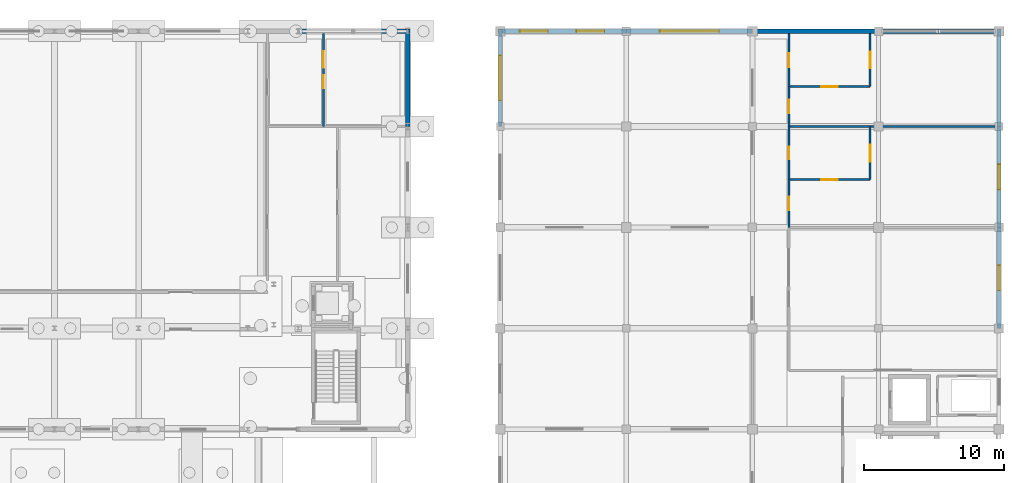
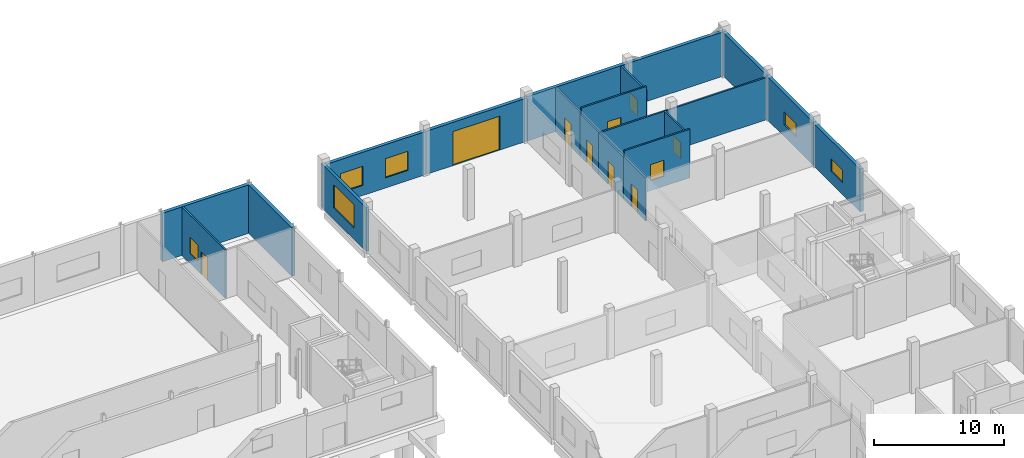
# One storey, part 78 of 91: 20 walls, 10 windows, 6 doors, 16 openings.
"""IFC4 building model written with IfcOpenShell, lengths in metres."""

import ifcopenshell
import ifcopenshell.guid

model = None  # the IFC model being written
_history = None  # IfcOwnerHistory: only IFC2X3 demands one
_inside = {}  # id of a spatial element -> (the spatial element, [elements in it])
_under = {}  # id of a project, library or spatial element -> (it, [spatial elements below it])
_declared = {}  # id of a project -> (the project, [libraries it declares])
_typed = {}  # id of a type object -> (the type object, [elements of that type])
_made_of = {}  # id of a material, layer set ... -> (it, [elements and type objects made of it])


def new_model(schema):
    """Start an empty IFC model of exactly this schema.

    Asked for "IFC4X3", IfcOpenShell would pick the latest addendum, in which some entities
    have other attributes; the version numbers below select the first issue.
    IFC2X3 requires an IfcOwnerHistory on every rooted entity: one is made here for all.
    """
    global model, _history
    if schema == "IFC4X3":
        model = ifcopenshell.file(schema_version=(4, 3, 0, 0))
    else:
        model = ifcopenshell.file(schema=schema)
    _inside.clear()
    _under.clear()
    _declared.clear()
    _typed.clear()
    _made_of.clear()
    _history = None
    if model.schema == "IFC2X3":
        org = make("IfcOrganization", Name="unknown")
        user = make(
            "IfcPersonAndOrganization",
            ThePerson=make("IfcPerson", FamilyName="unknown"),
            TheOrganization=org,
        )
        app = make(
            "IfcApplication",
            ApplicationDeveloper=org,
            Version="unknown",
            ApplicationFullName="unknown",
            ApplicationIdentifier="unknown",
        )
        _history = make(
            "IfcOwnerHistory",
            OwningUser=user,
            OwningApplication=app,
            ChangeAction="ADDED",
            CreationDate=0,
        )
    return model


def make(cls, **values):
    """One entity of the class cls with the attributes given. An attribute that is None is left unset."""
    return model.create_entity(
        cls, **{name: value for name, value in values.items() if value is not None}
    )


def rooted(cls, **values):
    """An entity with a GlobalId (a new one), such as an element, a storey or a relation."""
    return make(cls, GlobalId=ifcopenshell.guid.new(), OwnerHistory=_history, **values)


def si_unit(unit_type, name, prefix=None):
    """IfcSIUnit, for example si_unit("LENGTHUNIT", "METRE", prefix="MILLI")."""
    return make("IfcSIUnit", UnitType=unit_type, Prefix=prefix, Name=name)


def assignment(units):
    """IfcUnitAssignment: the units of a project."""
    return None if units is None else make("IfcUnitAssignment", Units=units)


def point(xyz):
    """IfcCartesianPoint."""
    return None if xyz is None else make("IfcCartesianPoint", Coordinates=xyz)


def direction(xyz):
    """IfcDirection."""
    return None if xyz is None else make("IfcDirection", DirectionRatios=xyz)


def frame(location, z_axis=None, x_axis=None):
    """IfcAxis2Placement3D, a coordinate frame: its origin and axes. An axis left out is left unset."""
    return make(
        "IfcAxis2Placement3D",
        Location=point(location),
        Axis=direction(z_axis),
        RefDirection=direction(x_axis),
    )


def frame_2d(location, x_axis=None):
    """IfcAxis2Placement2D, a coordinate frame in the plane: its origin and x axis."""
    return make(
        "IfcAxis2Placement2D", Location=point(location), RefDirection=direction(x_axis)
    )


def origin():
    """The frame at (0, 0, 0) with its axes left unset."""
    return frame((0.0, 0.0, 0.0))


def place(relative_to, where):
    """IfcLocalPlacement: puts the frame where relative to a parent placement (None: the world)."""
    return make(
        "IfcLocalPlacement", PlacementRelTo=relative_to, RelativePlacement=where
    )


def context(
    kind, dimensions, precision=None, world=None, true_north=None, identifier=None
):
    """IfcGeometricRepresentationContext, for example the 3D "Model" context."""
    return make(
        "IfcGeometricRepresentationContext",
        ContextIdentifier=identifier,
        ContextType=kind,
        CoordinateSpaceDimension=dimensions,
        Precision=precision,
        WorldCoordinateSystem=world,
        TrueNorth=true_north,
    )


def subcontext(parent, identifier, kind, view, scale=None):
    """IfcGeometricRepresentationSubContext, for example "Body" below "Model"."""
    return make(
        "IfcGeometricRepresentationSubContext",
        ContextIdentifier=identifier,
        ContextType=kind,
        ParentContext=parent,
        TargetScale=scale,
        TargetView=view,
    )


def project(units=None, contexts=None):
    """IfcProject with its units and contexts."""
    return rooted(
        "IfcProject",
        Name="project",
        RepresentationContexts=contexts,
        UnitsInContext=assignment(units),
    )


def spatial(cls, under=None, at=None, **own):
    """A site, building, storey or space (cls), placed at a placement, below another one or the project."""
    s = rooted(cls, ObjectPlacement=at, **own)
    if under is not None:
        _under.setdefault(under.id(), (under, []))[1].append(s)
    return s


def profile(cls, at=None, kind="AREA", **sizes):
    """A parametric profile (cls). Its sizes go by their IFC names, for example OverallWidth=200.0."""
    return make(cls, ProfileType=kind, Position=at, **sizes)


def rectangle(**sizes):
    """IfcRectangleProfileDef."""
    return profile("IfcRectangleProfileDef", **sizes)


def extrude(swept, where, along, depth):
    """IfcExtrudedAreaSolid: the profile swept, set in the frame where, extruded along a direction by depth."""
    return make(
        "IfcExtrudedAreaSolid",
        SweptArea=swept,
        Position=where,
        ExtrudedDirection=direction(along),
        Depth=depth,
    )


def shape(context_of_items, identifier, shape_type, items):
    """IfcShapeRepresentation: the items that make up one representation, for example the "Body"."""
    return make(
        "IfcShapeRepresentation",
        ContextOfItems=context_of_items,
        RepresentationIdentifier=identifier,
        RepresentationType=shape_type,
        Items=items,
    )


def material(Name=None, Category=None):
    """IfcMaterial."""
    return make("IfcMaterial", Name=Name, Category=Category)


def layer(
    of_material, thickness, ventilated=None, Name=None, Category=None, Priority=None
):
    """IfcMaterialLayer: one layer of a wall or slab, of a material (None: an air gap)."""
    return make(
        "IfcMaterialLayer",
        Material=of_material,
        LayerThickness=thickness,
        IsVentilated=ventilated,
        Name=Name,
        Category=Category,
        Priority=Priority,
    )


def layer_set(layers, Name=None):
    """IfcMaterialLayerSet."""
    return make("IfcMaterialLayerSet", MaterialLayers=layers, LayerSetName=Name)


def made_of(thing, what):
    """Note that an element or type object is made of a material, layer set ...; save() writes the relation."""
    if what is not None:
        _made_of.setdefault(what.id(), (what, []))[1].append(thing)
    return thing


def type_object(cls, material=None, **own):
    """A type object (cls), such as IfcWallType, which elements share."""
    return made_of(rooted(cls, **own), material)


def element(
    cls,
    number,
    at=None,
    inside=None,
    cuts=None,
    type_object=None,
    material=None,
    context=None,
    identifier="Body",
    shape_type=None,
    held_by="IfcProductDefinitionShape",
    body=None,
    shapes=None,
    **own,
):
    """One element of the class cls, such as IfcWall. Its Tag is "e" and its number.

    at: its placement. inside: the storey or other place that contains it. cuts: it is an
    opening in that element (IfcRelVoidsElement). A single representation is given by context,
    identifier, shape_type and body (its items); several are given by shapes. held_by: the class
    of the entity that holds the representations. save() writes the other relations.
    """
    e = rooted(cls, Tag="e%d" % number, ObjectPlacement=at, **own)
    if body is not None:
        shapes = [shape(context, identifier, shape_type, body)]
    if shapes is not None:
        e.Representation = make(held_by, Representations=shapes)
    if inside is not None:
        _inside.setdefault(inside.id(), (inside, []))[1].append(e)
    if cuts is not None:
        rooted(
            "IfcRelVoidsElement", RelatingBuildingElement=cuts, RelatedOpeningElement=e
        )
    if type_object is not None:
        _typed.setdefault(type_object.id(), (type_object, []))[1].append(e)
    return made_of(e, material)


def fill(opening, filler):
    """IfcRelFillsElement: the door or window that sits in an opening."""
    return rooted(
        "IfcRelFillsElement",
        RelatingOpeningElement=opening,
        RelatedBuildingElement=filler,
    )


def aggregate(whole, parts):
    """IfcRelAggregates: a whole, such as a stair, and the parts it consists of."""
    return rooted("IfcRelAggregates", RelatingObject=whole, RelatedObjects=parts)


def save(model, path):
    """Write the relations noted so far, then the file.

    IfcRelAggregates (storeys below a building ...), IfcRelContainedInSpatialStructure (elements
    in a storey), IfcRelDefinesByType, IfcRelAssociatesMaterial and IfcRelDeclares: one each for
    every whole, place, type object, material and project.
    """
    for whole, parts in _under.values():
        aggregate(whole, parts)
    for where, things in _inside.values():
        rooted(
            "IfcRelContainedInSpatialStructure",
            RelatedElements=things,
            RelatingStructure=where,
        )
    for kind, things in _typed.values():
        rooted("IfcRelDefinesByType", RelatedObjects=things, RelatingType=kind)
    for what, things in _made_of.values():
        rooted("IfcRelAssociatesMaterial", RelatedObjects=things, RelatingMaterial=what)
    for by, libraries in _declared.values():
        rooted("IfcRelDeclares", RelatingContext=by, RelatedDefinitions=libraries)
    model.write(path)


model = new_model("IFC4")

# Units and contexts
model_context = context("Model", 3, precision=1e-05, world=origin(), true_north=direction((0.0, 1.0)))
body_context = subcontext(model_context, "Body", "Model", "MODEL_VIEW")
ifc_project = project(units=[si_unit("LENGTHUNIT", "METRE"), si_unit("AREAUNIT", "SQUARE_METRE"), si_unit("VOLUMEUNIT", "CUBIC_METRE"), si_unit("PLANEANGLEUNIT", "RADIAN"), si_unit("MASSUNIT", "GRAM", prefix="KILO")], contexts=[model_context])

# Site, building, storey
site_placement = place(None, origin())
site = spatial("IfcSite", under=ifc_project, at=site_placement, CompositionType="ELEMENT")
building_placement = place(site_placement, origin())
building = spatial("IfcBuilding", under=site, at=building_placement, Name="Vinh Khe Railworks Police Headquarters", CompositionType="ELEMENT")
storey_placement = place(building_placement, origin())
storey = spatial("IfcBuildingStorey", under=building, at=storey_placement, Name="L00", CompositionType="ELEMENT", Elevation=0.0)

# Wall, opening, window
ifc_material_1 = material(Name="Clay brickwork", Category="masonry")
ifc_layer_1 = layer(ifc_material_1, 0.260009765625)
ifc_layer_set_1 = layer_set([ifc_layer_1], Name="Clay brickwork")
wall_type_1 = type_object("IfcWallType", Name="EW-BRK-260", PredefinedType="SOLIDWALL", material=ifc_layer_set_1)
wall_1_placement = place(storey_placement, frame((78.0, 159.60009765625, 0.0), z_axis=(0.0, 0.0, 1.0), x_axis=(0.0, 1.0, 0.0)))
wall_1 = element("IfcWall", 1, at=wall_1_placement, inside=storey, type_object=wall_type_1, Name="Exterior Brick Wall EW-L00-V6W-09", PredefinedType="SOLIDWALL", context=body_context, shape_type="SweptSolid", body=[
    extrude(rectangle(XDim=6.929931640625, YDim=0.260009765625, at=frame_2d((3.46484375, 0.0))), origin(), (0.0, 0.0, 1.0), 4.10498046875),
])
opening_1_placement = place(wall_1_placement, frame((1.864990234375, 0.0, 1.050048828125)))
opening_1 = element("IfcOpeningElement", 2, at=opening_1_placement, cuts=wall_1, Name="Opening WN-03", PredefinedType="OPENING", context=body_context, shape_type="SweptSolid", body=[
    extrude(rectangle(XDim=3.199951171875, YDim=2.199951171875, at=frame_2d((1.60009765625, 1.10009765625))), frame((0.0, 0.14501953125, 0.0), z_axis=(0.0, -1.0, 0.0), x_axis=(1.0, 0.0, 0.0)), (0.0, 0.0, 1.0), 0.289794921875),
])
ifc_material_2 = material(Name="Double-glazed solar-control glass in dark steel frame", Category="steel")
window_type_1 = type_object("IfcWindowType", Name="WIN-WN-03", PartitioningType="TRIPLE_PANEL_VERTICAL", PredefinedType="WINDOW", material=ifc_material_2)
window_1_placement = place(opening_1_placement, origin())
window_1 = element("IfcWindow", 3, at=window_1_placement, inside=storey, type_object=window_type_1, Name="Casement Window WN-03", OverallHeight=2.199951171875, OverallWidth=3.199951171875, PartitioningType="SINGLE_PANEL", PredefinedType="WINDOW", context=body_context, shape_type="SweptSolid", body=[
    extrude(rectangle(XDim=3.199951171875, YDim=2.199951171875, at=frame_2d((1.60009765625, 1.10009765625))), frame((0.0, 0.030029296875, 0.0), z_axis=(0.0, -1.0, 0.0), x_axis=(1.0, 0.0, 0.0)), (0.0, 0.0, 1.0), 0.06005859375),
])
fill(opening_1, window_1)

ifc_layer_2 = layer(ifc_material_1, 0.300048828125)
ifc_layer_set_2 = layer_set([ifc_layer_2], Name="Clay brickwork")
wall_type_2 = type_object("IfcWallType", Name="EW-BRK-300", PredefinedType="SOLIDWALL", material=ifc_layer_set_2)
wall_2_placement = place(storey_placement, frame((113.60009765625, 145.199951171875, 0.0), z_axis=(0.0, 0.0, 1.0), x_axis=(0.0, 1.0, 0.0)))
wall_2 = element("IfcWall", 4, at=wall_2_placement, inside=storey, type_object=wall_type_2, Name="Exterior Brick Wall EW-L00-V6E-07", PredefinedType="SOLIDWALL", context=body_context, shape_type="SweptSolid", body=[
    extrude(rectangle(XDim=7.199951171875, YDim=0.300048828125, at=frame_2d((3.60009765625, 0.0))), origin(), (0.0, 0.0, 1.0), 4.0048828125),
])
opening_2_placement = place(wall_2_placement, frame((2.699951171875, 0.0, 1.10009765625)))
opening_2 = element("IfcOpeningElement", 5, at=opening_2_placement, cuts=wall_2, Name="Opening WN-08", PredefinedType="OPENING", context=body_context, shape_type="SweptSolid", body=[
    extrude(rectangle(XDim=1.800048828125, YDim=1.199951171875, at=frame_2d((0.89990234375, 0.60009765625))), frame((0.0, 0.1650390625, 0.0), z_axis=(0.0, -1.0, 0.0), x_axis=(1.0, 0.0, 0.0)), (0.0, 0.0, 1.0), 0.329833984375),
])
window_type_2 = type_object("IfcWindowType", Name="WIN-WN-08", PartitioningType="SINGLE_PANEL", PredefinedType="WINDOW", material=ifc_material_2)
window_2_placement = place(opening_2_placement, origin())
window_2 = element("IfcWindow", 6, at=window_2_placement, inside=storey, type_object=window_type_2, Name="Casement Window WN-08", OverallHeight=1.199951171875, OverallWidth=1.800048828125, PartitioningType="SINGLE_PANEL", PredefinedType="WINDOW", context=body_context, shape_type="SweptSolid", body=[
    extrude(rectangle(XDim=1.800048828125, YDim=1.199951171875, at=frame_2d((0.89990234375, 0.60009765625))), frame((0.0, 0.030029296875, 0.0), z_axis=(0.0, -1.0, 0.0), x_axis=(1.0, 0.0, 0.0)), (0.0, 0.0, 1.0), 0.06005859375),
])
fill(opening_2, window_2)

wall_3_placement = place(storey_placement, frame((113.60009765625, 152.39990234375, 0.0), z_axis=(0.0, 0.0, 1.0), x_axis=(0.0, 1.0, 0.0)))
wall_3 = element("IfcWall", 7, at=wall_3_placement, inside=storey, type_object=wall_type_2, Name="Exterior Brick Wall EW-L00-V6E-08", PredefinedType="SOLIDWALL", context=body_context, shape_type="SweptSolid", body=[
    extrude(rectangle(XDim=7.2001953125, YDim=0.300048828125, at=frame_2d((3.60009765625, 0.0))), origin(), (0.0, 0.0, 1.0), 4.054931640625),
])
opening_3_placement = place(wall_3_placement, frame((2.699951171875, 0.0, 1.10009765625)))
opening_3 = element("IfcOpeningElement", 8, at=opening_3_placement, cuts=wall_3, Name="Opening WN-08", PredefinedType="OPENING", context=body_context, shape_type="SweptSolid", body=[
    extrude(rectangle(XDim=1.800048828125, YDim=1.199951171875, at=frame_2d((0.89990234375, 0.60009765625))), frame((0.0, 0.1650390625, 0.0), z_axis=(0.0, -1.0, 0.0), x_axis=(1.0, 0.0, 0.0)), (0.0, 0.0, 1.0), 0.329833984375),
])
window_3_placement = place(opening_3_placement, origin())
window_3 = element("IfcWindow", 9, at=window_3_placement, inside=storey, type_object=window_type_2, Name="Casement Window WN-08", OverallHeight=1.199951171875, OverallWidth=1.800048828125, PartitioningType="SINGLE_PANEL", PredefinedType="WINDOW", context=body_context, shape_type="SweptSolid", body=[
    extrude(rectangle(XDim=1.800048828125, YDim=1.199951171875, at=frame_2d((0.89990234375, 0.60009765625))), frame((0.0, 0.030029296875, 0.0), z_axis=(0.0, -1.0, 0.0), x_axis=(1.0, 0.0, 0.0)), (0.0, 0.0, 1.0), 0.06005859375),
])
fill(opening_3, window_3)

# Wall
wall_4_placement = place(storey_placement, frame((113.60009765625, 159.60009765625, 0.0), z_axis=(0.0, 0.0, 1.0), x_axis=(0.0, 1.0, 0.0)))
element("IfcWall", 10, at=wall_4_placement, inside=storey, type_object=wall_type_2, Name="Exterior Brick Wall EW-L00-V6E-09", PredefinedType="SOLIDWALL", context=body_context, shape_type="SweptSolid", body=[
    extrude(rectangle(XDim=6.949951171875, YDim=0.300048828125, at=frame_2d((3.47509765625, 0.0))), origin(), (0.0, 0.0, 1.0), 4.10498046875),
])

# Wall, openings, windows
wall_5_placement = place(storey_placement, frame((77.85009765625, 166.39990234375, 0.0), z_axis=(0.0, 0.0, 1.0), x_axis=(1.0, 0.0, 0.0)))
wall_5 = element("IfcWall", 11, at=wall_5_placement, inside=storey, type_object=wall_type_2, Name="Exterior Brick Wall EW-L00-V6N-01", PredefinedType="SOLIDWALL", context=body_context, shape_type="SweptSolid", body=[
    extrude(rectangle(XDim=9.14990234375, YDim=0.300048828125, at=frame_2d((4.574951171875, 0.0))), origin(), (0.0, 0.0, 1.0), 4.06494140625),
])
opening_4_placement = place(wall_5_placement, frame((1.56201171875, 0.0, 0.949951171875)))
opening_4 = element("IfcOpeningElement", 12, at=opening_4_placement, cuts=wall_5, Name="Opening WN-04", PredefinedType="OPENING", context=body_context, shape_type="SweptSolid", body=[
    extrude(rectangle(XDim=2.0, YDim=1.800048828125, at=frame_2d((1.0, 0.89990234375))), frame((0.0, 0.1650390625, 0.0), z_axis=(0.0, -1.0, 0.0), x_axis=(1.0, 0.0, 0.0)), (0.0, 0.0, 1.0), 0.329833984375),
])
opening_5_placement = place(wall_5_placement, frame((5.587890625, 0.0, 0.949951171875)))
opening_5 = element("IfcOpeningElement", 13, at=opening_5_placement, cuts=wall_5, Name="Opening WN-04", PredefinedType="OPENING", context=body_context, shape_type="SweptSolid", body=[
    extrude(rectangle(XDim=2.0, YDim=1.800048828125, at=frame_2d((1.0, 0.89990234375))), frame((0.0, 0.1650390625, 0.0), z_axis=(0.0, -1.0, 0.0), x_axis=(1.0, 0.0, 0.0)), (0.0, 0.0, 1.0), 0.329833984375),
])
window_type_3 = type_object("IfcWindowType", Name="WIN-WN-04", PartitioningType="DOUBLE_PANEL_VERTICAL", PredefinedType="WINDOW", material=ifc_material_2)
window_4_placement = place(opening_4_placement, origin())
window_4 = element("IfcWindow", 14, at=window_4_placement, inside=storey, type_object=window_type_3, Name="Casement Window WN-04", OverallHeight=1.800048828125, OverallWidth=2.0, PartitioningType="SINGLE_PANEL", PredefinedType="WINDOW", context=body_context, shape_type="SweptSolid", body=[
    extrude(rectangle(XDim=2.0, YDim=1.800048828125, at=frame_2d((1.0, 0.89990234375))), frame((0.0, 0.030029296875, 0.0), z_axis=(0.0, -1.0, 0.0), x_axis=(1.0, 0.0, 0.0)), (0.0, 0.0, 1.0), 0.06005859375),
])
fill(opening_4, window_4)
window_5_placement = place(opening_5_placement, origin())
window_5 = element("IfcWindow", 15, at=window_5_placement, inside=storey, type_object=window_type_3, Name="Casement Window WN-04", OverallHeight=1.800048828125, OverallWidth=2.0, PartitioningType="SINGLE_PANEL", PredefinedType="WINDOW", context=body_context, shape_type="SweptSolid", body=[
    extrude(rectangle(XDim=2.0, YDim=1.800048828125, at=frame_2d((1.0, 0.89990234375))), frame((0.0, 0.030029296875, 0.0), z_axis=(0.0, -1.0, 0.0), x_axis=(1.0, 0.0, 0.0)), (0.0, 0.0, 1.0), 0.06005859375),
])
fill(opening_5, window_5)

# Wall, opening, door
wall_6_placement = place(storey_placement, frame((87.0, 166.39990234375, 0.0), z_axis=(0.0, 0.0, 1.0), x_axis=(1.0, 0.0, 0.0)))
wall_6 = element("IfcWall", 16, at=wall_6_placement, inside=storey, type_object=wall_type_2, Name="Exterior Brick Wall EW-L00-V6N-02", PredefinedType="SOLIDWALL", context=body_context, shape_type="SweptSolid", body=[
    extrude(rectangle(XDim=9.0, YDim=0.300048828125, at=frame_2d((4.5, 0.0))), origin(), (0.0, 0.0, 1.0), 4.06494140625),
])
opening_6_placement = place(wall_6_placement, frame((2.39990234375, 0.0, 0.0)))
opening_6 = element("IfcOpeningElement", 17, at=opening_6_placement, cuts=wall_6, Name="Opening VG-02", PredefinedType="OPENING", context=body_context, shape_type="SweptSolid", body=[
    extrude(rectangle(XDim=4.199951171875, YDim=3.199951171875, at=frame_2d((2.10009765625, 1.60009765625))), frame((0.0, 0.1650390625, 0.0), z_axis=(0.0, -1.0, 0.0), x_axis=(1.0, 0.0, 0.0)), (0.0, 0.0, 1.0), 0.329833984375),
])
ifc_material_3 = material(Name="Heavy-duty ballistic steel sally-port roller gate", Category="steel")
door_type_1 = type_object("IfcDoorType", Name="VG-SALLY-4200", OperationType="ROLLINGUP", PredefinedType="GATE", material=ifc_material_3)
door_1_placement = place(opening_6_placement, origin())
door_1 = element("IfcDoor", 18, at=door_1_placement, inside=storey, type_object=door_type_1, Name="Forensic Evidence Bay Roller Gate VG-03", OperationType="ROLLINGUP", OverallHeight=3.199951171875, OverallWidth=4.199951171875, PredefinedType="GATE", context=body_context, shape_type="SweptSolid", body=[
    extrude(rectangle(XDim=4.199951171875, YDim=3.199951171875, at=frame_2d((2.10009765625, 1.60009765625))), frame((0.0, 0.02490234375, 0.0), z_axis=(0.0, -1.0, 0.0), x_axis=(1.0, 0.0, 0.0)), (0.0, 0.0, 1.0), 0.050048828125),
])
fill(opening_6, door_1)

# Walls
wall_7_placement = place(storey_placement, frame((96.0, 166.39990234375, 0.0), z_axis=(0.0, 0.0, 1.0), x_axis=(1.0, 0.0, 0.0)))
element("IfcWall", 19, at=wall_7_placement, inside=storey, type_object=wall_type_2, Name="Exterior Brick Wall EW-L00-V6N-03", PredefinedType="SOLIDWALL", context=body_context, shape_type="SweptSolid", body=[
    extrude(rectangle(XDim=9.0, YDim=0.300048828125, at=frame_2d((4.5, 0.0))), origin(), (0.0, 0.0, 1.0), 4.1650390625),
])
wall_8_placement = place(storey_placement, frame((105.0, 166.39990234375, 0.0), z_axis=(0.0, 0.0, 1.0), x_axis=(1.0, 0.0, 0.0)))
element("IfcWall", 20, at=wall_8_placement, inside=storey, type_object=wall_type_2, Name="Exterior Brick Wall EW-L00-V6N-04", PredefinedType="SOLIDWALL", context=body_context, shape_type="SweptSolid", body=[
    extrude(rectangle(XDim=8.75, YDim=0.300048828125, at=frame_2d((4.375, 0.0))), origin(), (0.0, 0.0, 1.0), 4.1650390625),
])
wall_9_placement = place(storey_placement, frame((63.60009765625, 166.39990234375, 0.0), z_axis=(0.0, 0.0, 1.0), x_axis=(1.0, 0.0, 0.0)))
element("IfcWall", 21, at=wall_9_placement, inside=storey, type_object=wall_type_2, Name="Exterior Brick Wall EW-L00-V3N-07", PredefinedType="SOLIDWALL", context=body_context, shape_type="SweptSolid", body=[
    extrude(rectangle(XDim=7.949951171875, YDim=0.300048828125, at=frame_2d((3.97509765625, 0.0))), origin(), (0.0, 0.0, 1.0), 4.56005859375),
])
wall_10_placement = place(storey_placement, frame((71.39990234375, 159.60009765625, 0.0), z_axis=(0.0, 0.0, 1.0), x_axis=(0.0, 1.0, 0.0)))
element("IfcWall", 22, at=wall_10_placement, inside=storey, type_object=wall_type_2, Name="Exterior Brick Wall EW-L00-V3E-03", PredefinedType="SOLIDWALL", context=body_context, shape_type="SweptSolid", body=[
    extrude(rectangle(XDim=6.949951171875, YDim=0.300048828125, at=frame_2d((3.47509765625, 0.0))), origin(), (0.0, 0.0, 1.0), 4.56005859375),
])

# Wall, opening, window
ifc_material_4 = material(Name="Gypsum plasterboard on steel stud", Category="steel")
ifc_layer_3 = layer(ifc_material_4, 0.1201171875)
ifc_layer_set_3 = layer_set([ifc_layer_3], Name="Gypsum plasterboard on steel stud")
wall_type_3 = type_object("IfcWallType", Name="IW-PART-120", PredefinedType="PARTITIONING", material=ifc_layer_set_3)
wall_11_placement = place(storey_placement, frame((98.60009765625, 155.806884765625, 0.0), z_axis=(0.0, 0.0, 1.0), x_axis=(1.0, 0.0, 0.0)))
wall_11 = element("IfcWall", 23, at=wall_11_placement, inside=storey, type_object=wall_type_3, Name="Interior Partition W-L00-V6-V6WCS-DIV", PredefinedType="PARTITIONING", context=body_context, shape_type="SweptSolid", body=[
    extrude(rectangle(XDim=5.7998046875, YDim=0.14990234375, at=frame_2d((2.89990234375, 0.0))), origin(), (0.0, 0.0, 1.0), 4.554931640625),
])
opening_7_placement = place(wall_11_placement, frame((2.300048828125, 0.0, 0.949951171875)))
opening_7 = element("IfcOpeningElement", 24, at=opening_7_placement, cuts=wall_11, Name="Opening WN-10", PredefinedType="OPENING", context=body_context, shape_type="SweptSolid", body=[
    extrude(rectangle(XDim=1.199951171875, YDim=1.5, at=frame_2d((0.60009765625, 0.75))), frame((0.0, 0.08984375, 0.0), z_axis=(0.0, -1.0, 0.0), x_axis=(1.0, 0.0, 0.0)), (0.0, 0.0, 1.0), 0.1796875),
])
window_type_4 = type_object("IfcWindowType", Name="WIN-WN-10", PartitioningType="SINGLE_PANEL", PredefinedType="WINDOW", material=ifc_material_2)
window_6_placement = place(opening_7_placement, origin())
window_6 = element("IfcWindow", 25, at=window_6_placement, inside=storey, type_object=window_type_4, Name="Interior Acoustic Vision Window WN-10", OverallHeight=1.5, OverallWidth=1.199951171875, PartitioningType="SINGLE_PANEL", PredefinedType="WINDOW", context=body_context, shape_type="SweptSolid", body=[
    extrude(rectangle(XDim=1.199951171875, YDim=1.5, at=frame_2d((0.60009765625, 0.75))), frame((0.0, 0.030029296875, 0.0), z_axis=(0.0, -1.0, 0.0), x_axis=(1.0, 0.0, 0.0)), (0.0, 0.0, 1.0), 0.06005859375),
])
fill(opening_7, window_6)

wall_12_placement = place(storey_placement, frame((104.39990234375, 155.806884765625, 0.0), z_axis=(0.0, 0.0, 1.0), x_axis=(0.0, 1.0, 0.0)))
wall_12 = element("IfcWall", 26, at=wall_12_placement, inside=storey, type_object=wall_type_3, Name="Interior Partition W-L00-V6-V6WC-REAR", PredefinedType="PARTITIONING", context=body_context, shape_type="SweptSolid", body=[
    extrude(rectangle(XDim=3.793212890625, YDim=0.14990234375, at=frame_2d((1.896484375, 0.0))), origin(), (0.0, 0.0, 1.0), 3.965087890625),
])
opening_8_placement = place(wall_12_placement, frame((1.29638671875, 0.0, 0.949951171875)))
opening_8 = element("IfcOpeningElement", 27, at=opening_8_placement, cuts=wall_12, Name="Opening WN-10", PredefinedType="OPENING", context=body_context, shape_type="SweptSolid", body=[
    extrude(rectangle(XDim=1.199951171875, YDim=1.5, at=frame_2d((0.60009765625, 0.75))), frame((0.0, 0.08984375, 0.0), z_axis=(0.0, -1.0, 0.0), x_axis=(1.0, 0.0, 0.0)), (0.0, 0.0, 1.0), 0.1796875),
])
window_7_placement = place(opening_8_placement, origin())
window_7 = element("IfcWindow", 28, at=window_7_placement, inside=storey, type_object=window_type_4, Name="Interior Acoustic Vision Window WN-10", OverallHeight=1.5, OverallWidth=1.199951171875, PartitioningType="SINGLE_PANEL", PredefinedType="WINDOW", context=body_context, shape_type="SweptSolid", body=[
    extrude(rectangle(XDim=1.199951171875, YDim=1.5, at=frame_2d((0.60009765625, 0.75))), frame((0.0, 0.030029296875, 0.0), z_axis=(0.0, -1.0, 0.0), x_axis=(1.0, 0.0, 0.0)), (0.0, 0.0, 1.0), 0.06005859375),
])
fill(opening_8, window_7)

wall_13_placement = place(storey_placement, frame((98.60009765625, 162.447021484375, 0.0), z_axis=(0.0, 0.0, 1.0), x_axis=(1.0, 0.0, 0.0)))
wall_13 = element("IfcWall", 29, at=wall_13_placement, inside=storey, type_object=wall_type_3, Name="Interior Partition W-L00-V6-V6AWCS-DIV", PredefinedType="PARTITIONING", context=body_context, shape_type="SweptSolid", body=[
    extrude(rectangle(XDim=5.7998046875, YDim=0.14990234375, at=frame_2d((2.89990234375, 0.0))), origin(), (0.0, 0.0, 1.0), 4.554931640625),
])
opening_9_placement = place(wall_13_placement, frame((2.300048828125, 0.0, 0.949951171875)))
opening_9 = element("IfcOpeningElement", 30, at=opening_9_placement, cuts=wall_13, Name="Opening WN-10", PredefinedType="OPENING", context=body_context, shape_type="SweptSolid", body=[
    extrude(rectangle(XDim=1.199951171875, YDim=1.5, at=frame_2d((0.60009765625, 0.75))), frame((0.0, 0.08984375, 0.0), z_axis=(0.0, -1.0, 0.0), x_axis=(1.0, 0.0, 0.0)), (0.0, 0.0, 1.0), 0.1796875),
])
window_8_placement = place(opening_9_placement, origin())
window_8 = element("IfcWindow", 31, at=window_8_placement, inside=storey, type_object=window_type_4, Name="Interior Acoustic Vision Window WN-10", OverallHeight=1.5, OverallWidth=1.199951171875, PartitioningType="SINGLE_PANEL", PredefinedType="WINDOW", context=body_context, shape_type="SweptSolid", body=[
    extrude(rectangle(XDim=1.199951171875, YDim=1.5, at=frame_2d((0.60009765625, 0.75))), frame((0.0, 0.030029296875, 0.0), z_axis=(0.0, -1.0, 0.0), x_axis=(1.0, 0.0, 0.0)), (0.0, 0.0, 1.0), 0.06005859375),
])
fill(opening_9, window_8)

wall_14_placement = place(storey_placement, frame((104.39990234375, 162.447021484375, 0.0), z_axis=(0.0, 0.0, 1.0), x_axis=(0.0, 1.0, 0.0)))
wall_14 = element("IfcWall", 32, at=wall_14_placement, inside=storey, type_object=wall_type_3, Name="Interior Partition W-L00-V6-V6AWC-REAR", PredefinedType="PARTITIONING", context=body_context, shape_type="SweptSolid", body=[
    extrude(rectangle(XDim=3.79296875, YDim=0.14990234375, at=frame_2d((1.896484375, 0.0))), origin(), (0.0, 0.0, 1.0), 4.1650390625),
])
opening_10_placement = place(wall_14_placement, frame((1.29638671875, 0.0, 0.949951171875)))
opening_10 = element("IfcOpeningElement", 33, at=opening_10_placement, cuts=wall_14, Name="Opening WN-10", PredefinedType="OPENING", context=body_context, shape_type="SweptSolid", body=[
    extrude(rectangle(XDim=1.199951171875, YDim=1.5, at=frame_2d((0.60009765625, 0.75))), frame((0.0, 0.08984375, 0.0), z_axis=(0.0, -1.0, 0.0), x_axis=(1.0, 0.0, 0.0)), (0.0, 0.0, 1.0), 0.1796875),
])
window_9_placement = place(opening_10_placement, origin())
window_9 = element("IfcWindow", 34, at=window_9_placement, inside=storey, type_object=window_type_4, Name="Interior Acoustic Vision Window WN-10", OverallHeight=1.5, OverallWidth=1.199951171875, PartitioningType="SINGLE_PANEL", PredefinedType="WINDOW", context=body_context, shape_type="SweptSolid", body=[
    extrude(rectangle(XDim=1.199951171875, YDim=1.5, at=frame_2d((0.60009765625, 0.75))), frame((0.0, 0.030029296875, 0.0), z_axis=(0.0, -1.0, 0.0), x_axis=(1.0, 0.0, 0.0)), (0.0, 0.0, 1.0), 0.06005859375),
])
fill(opening_10, window_9)

# Wall
wall_15_placement = place(storey_placement, frame((98.60009765625, 159.60009765625, 0.0), z_axis=(0.0, 0.0, 1.0), x_axis=(1.0, 0.0, 0.0)))
element("IfcWall", 35, at=wall_15_placement, inside=storey, type_object=wall_type_3, Name="Interior Partition W-L00-V6-V6AWC-DIV", PredefinedType="PARTITIONING", context=body_context, shape_type="SweptSolid", body=[
    extrude(rectangle(XDim=14.83984375, YDim=0.14990234375, at=frame_2d((7.419921875, 0.0))), origin(), (0.0, 0.0, 1.0), 3.965087890625),
])

# Wall, openings, door, window
wall_16_placement = place(storey_placement, frame((65.39990234375, 159.60009765625, 0.0), z_axis=(0.0, 0.0, 1.0), x_axis=(0.0, 1.0, 0.0)))
wall_16 = element("IfcWall", 36, at=wall_16_placement, inside=storey, type_object=wall_type_3, Name="Interior Partition W-L00-V3-EQP-W", PredefinedType="PARTITIONING", context=body_context, shape_type="SweptSolid", body=[
    extrude(rectangle(XDim=6.639892578125, YDim=0.14990234375, at=frame_2d((3.31982421875, 0.0))), origin(), (0.0, 0.0, 1.0), 4.554931640625),
])
opening_11_placement = place(wall_16_placement, frame((2.72509765625, 0.0, 0.0)))
opening_11 = element("IfcOpeningElement", 37, at=opening_11_placement, cuts=wall_16, Name="Opening D-01", PredefinedType="OPENING", context=body_context, shape_type="SweptSolid", body=[
    extrude(rectangle(XDim=0.949951171875, YDim=2.14990234375, at=frame_2d((0.47509765625, 1.074951171875))), frame((0.0, 0.08984375, 0.0), z_axis=(0.0, -1.0, 0.0), x_axis=(1.0, 0.0, 0.0)), (0.0, 0.0, 1.0), 0.1796875),
])
opening_12_placement = place(wall_16_placement, frame((4.180908203125, 0.0, 0.949951171875)))
opening_12 = element("IfcOpeningElement", 38, at=opening_12_placement, cuts=wall_16, Name="Opening WN-10", PredefinedType="OPENING", context=body_context, shape_type="SweptSolid", body=[
    extrude(rectangle(XDim=1.199951171875, YDim=1.5, at=frame_2d((0.60009765625, 0.75))), frame((0.0, 0.08984375, 0.0), z_axis=(0.0, -1.0, 0.0), x_axis=(1.0, 0.0, 0.0)), (0.0, 0.0, 1.0), 0.1796875),
])
ifc_material_5 = material(Name="Seasoned hardwood timber", Category="wood")
door_type_2 = type_object("IfcDoorType", Name="ID-950x2150", OperationType="NOTDEFINED", PredefinedType="DOOR", material=ifc_material_5)
door_2_placement = place(opening_11_placement, origin())
door_2 = element("IfcDoor", 39, at=door_2_placement, inside=storey, type_object=door_type_2, Name="Apparatus Store Door", OperationType="SINGLE_SWING_RIGHT", OverallHeight=2.14990234375, OverallWidth=0.949951171875, PredefinedType="DOOR", context=body_context, shape_type="SweptSolid", body=[
    extrude(rectangle(XDim=0.949951171875, YDim=2.14990234375, at=frame_2d((0.47509765625, 1.074951171875))), frame((0.0, 0.02490234375, 0.0), z_axis=(0.0, -1.0, 0.0), x_axis=(1.0, 0.0, 0.0)), (0.0, 0.0, 1.0), 0.050048828125),
])
fill(opening_11, door_2)
window_10_placement = place(opening_12_placement, origin())
window_10 = element("IfcWindow", 40, at=window_10_placement, inside=storey, type_object=window_type_4, Name="Interior Acoustic Vision Window WN-10", OverallHeight=1.5, OverallWidth=1.199951171875, PartitioningType="SINGLE_PANEL", PredefinedType="WINDOW", context=body_context, shape_type="SweptSolid", body=[
    extrude(rectangle(XDim=1.199951171875, YDim=1.5, at=frame_2d((0.60009765625, 0.75))), frame((0.0, 0.030029296875, 0.0), z_axis=(0.0, -1.0, 0.0), x_axis=(1.0, 0.0, 0.0)), (0.0, 0.0, 1.0), 0.06005859375),
])
fill(opening_12, window_10)

# Wall, opening, door
ifc_material_6 = material(Name="Gypsum plasterboard on acoustic steel stud", Category="steel")
ifc_layer_4 = layer(ifc_material_6, 0.14990234375)
ifc_layer_set_4 = layer_set([ifc_layer_4], Name="Gypsum plasterboard on acoustic steel stud")
wall_type_4 = type_object("IfcWallType", Name="IW-PART-150", PredefinedType="PARTITIONING", material=ifc_layer_set_4)
wall_17_placement = place(storey_placement, frame((98.60009765625, 152.39990234375, 0.0), z_axis=(0.0, 0.0, 1.0), x_axis=(0.0, 1.0, 0.0)))
wall_17 = element("IfcWall", 41, at=wall_17_placement, inside=storey, type_object=wall_type_4, Name="Interior Partition W-L00-V6-V6WCS-CE", PredefinedType="PARTITIONING", context=body_context, shape_type="SweptSolid", body=[
    extrude(rectangle(XDim=3.406982421875, YDim=0.14990234375, at=frame_2d((1.70361328125, 0.0))), origin(), (0.0, 0.0, 1.0), 4.06494140625),
])
opening_13_placement = place(wall_17_placement, frame((1.22802734375, 0.0, 0.0)))
opening_13 = element("IfcOpeningElement", 42, at=opening_13_placement, cuts=wall_17, Name="Opening D-01", PredefinedType="OPENING", context=body_context, shape_type="SweptSolid", body=[
    extrude(rectangle(XDim=0.949951171875, YDim=2.14990234375, at=frame_2d((0.47509765625, 1.074951171875))), frame((0.0, 0.08984375, 0.0), z_axis=(0.0, -1.0, 0.0), x_axis=(1.0, 0.0, 0.0)), (0.0, 0.0, 1.0), 0.1796875),
])
door_3_placement = place(opening_13_placement, origin())
door_3 = element("IfcDoor", 43, at=door_3_placement, inside=storey, type_object=door_type_2, Name="Floor Supplies Store Door", OperationType="SINGLE_SWING_RIGHT", OverallHeight=2.14990234375, OverallWidth=0.949951171875, PredefinedType="DOOR", context=body_context, shape_type="SweptSolid", body=[
    extrude(rectangle(XDim=0.949951171875, YDim=2.14990234375, at=frame_2d((0.47509765625, 1.074951171875))), frame((0.0, 0.02490234375, 0.0), z_axis=(0.0, -1.0, 0.0), x_axis=(1.0, 0.0, 0.0)), (0.0, 0.0, 1.0), 0.050048828125),
])
fill(opening_13, door_3)

wall_18_placement = place(storey_placement, frame((98.60009765625, 155.806884765625, 0.0), z_axis=(0.0, 0.0, 1.0), x_axis=(0.0, 1.0, 0.0)))
wall_18 = element("IfcWall", 44, at=wall_18_placement, inside=storey, type_object=wall_type_4, Name="Interior Partition W-L00-V6-V6WC-CE", PredefinedType="PARTITIONING", context=body_context, shape_type="SweptSolid", body=[
    extrude(rectangle(XDim=3.793212890625, YDim=0.14990234375, at=frame_2d((1.896484375, 0.0))), origin(), (0.0, 0.0, 1.0), 3.965087890625),
])
opening_14_placement = place(wall_18_placement, frame((1.446044921875, 0.0, 0.0)))
opening_14 = element("IfcOpeningElement", 45, at=opening_14_placement, cuts=wall_18, Name="Opening D-04", PredefinedType="OPENING", context=body_context, shape_type="SweptSolid", body=[
    extrude(rectangle(XDim=0.89990234375, YDim=2.14990234375, at=frame_2d((0.449951171875, 1.074951171875))), frame((0.0, 0.08984375, 0.0), z_axis=(0.0, -1.0, 0.0), x_axis=(1.0, 0.0, 0.0)), (0.0, 0.0, 1.0), 0.1796875),
])
door_type_3 = type_object("IfcDoorType", Name="ID-900x2150", OperationType="NOTDEFINED", PredefinedType="DOOR", material=ifc_material_5)
door_4_placement = place(opening_14_placement, origin())
door_4 = element("IfcDoor", 46, at=door_4_placement, inside=storey, type_object=door_type_3, Name="Staff WC L00 East Door", OperationType="SINGLE_SWING_LEFT", OverallHeight=2.14990234375, OverallWidth=0.89990234375, PredefinedType="DOOR", context=body_context, shape_type="SweptSolid", body=[
    extrude(rectangle(XDim=0.89990234375, YDim=2.14990234375, at=frame_2d((0.449951171875, 1.074951171875))), frame((0.0, 0.02490234375, 0.0), z_axis=(0.0, -1.0, 0.0), x_axis=(1.0, 0.0, 0.0)), (0.0, 0.0, 1.0), 0.050048828125),
])
fill(opening_14, door_4)

wall_19_placement = place(storey_placement, frame((98.60009765625, 159.60009765625, 0.0), z_axis=(0.0, 0.0, 1.0), x_axis=(0.0, 1.0, 0.0)))
wall_19 = element("IfcWall", 47, at=wall_19_placement, inside=storey, type_object=wall_type_4, Name="Interior Partition W-L00-V6-V6AWCS-CE", PredefinedType="PARTITIONING", context=body_context, shape_type="SweptSolid", body=[
    extrude(rectangle(XDim=2.846923828125, YDim=0.14990234375, at=frame_2d((1.42333984375, 0.0))), origin(), (0.0, 0.0, 1.0), 3.965087890625),
])
opening_15_placement = place(wall_19_placement, frame((0.948974609375, 0.0, 0.0)))
opening_15 = element("IfcOpeningElement", 48, at=opening_15_placement, cuts=wall_19, Name="Opening D-01", PredefinedType="OPENING", context=body_context, shape_type="SweptSolid", body=[
    extrude(rectangle(XDim=0.949951171875, YDim=2.14990234375, at=frame_2d((0.47509765625, 1.074951171875))), frame((0.0, 0.08984375, 0.0), z_axis=(0.0, -1.0, 0.0), x_axis=(1.0, 0.0, 0.0)), (0.0, 0.0, 1.0), 0.1796875),
])
door_5_placement = place(opening_15_placement, origin())
door_5 = element("IfcDoor", 49, at=door_5_placement, inside=storey, type_object=door_type_2, Name="Floor Supplies Store Door", OperationType="SINGLE_SWING_RIGHT", OverallHeight=2.14990234375, OverallWidth=0.949951171875, PredefinedType="DOOR", context=body_context, shape_type="SweptSolid", body=[
    extrude(rectangle(XDim=0.949951171875, YDim=2.14990234375, at=frame_2d((0.47509765625, 1.074951171875))), frame((0.0, 0.02490234375, 0.0), z_axis=(0.0, -1.0, 0.0), x_axis=(1.0, 0.0, 0.0)), (0.0, 0.0, 1.0), 0.050048828125),
])
fill(opening_15, door_5)

wall_20_placement = place(storey_placement, frame((98.60009765625, 162.447021484375, 0.0), z_axis=(0.0, 0.0, 1.0), x_axis=(0.0, 1.0, 0.0)))
wall_20 = element("IfcWall", 50, at=wall_20_placement, inside=storey, type_object=wall_type_4, Name="Interior Partition W-L00-V6-V6AWC-CE", PredefinedType="PARTITIONING", context=body_context, shape_type="SweptSolid", body=[
    extrude(rectangle(XDim=3.79296875, YDim=0.14990234375, at=frame_2d((1.896484375, 0.0))), origin(), (0.0, 0.0, 1.0), 4.1650390625),
])
opening_16_placement = place(wall_20_placement, frame((1.39697265625, 0.0, 0.0)))
opening_16 = element("IfcOpeningElement", 51, at=opening_16_placement, cuts=wall_20, Name="Opening D-05", PredefinedType="OPENING", context=body_context, shape_type="SweptSolid", body=[
    extrude(rectangle(XDim=1.0, YDim=2.14990234375, at=frame_2d((0.5, 1.074951171875))), frame((0.0, 0.08984375, 0.0), z_axis=(0.0, -1.0, 0.0), x_axis=(1.0, 0.0, 0.0)), (0.0, 0.0, 1.0), 0.1796875),
])
door_type_4 = type_object("IfcDoorType", Name="ID-1000x2150", OperationType="NOTDEFINED", PredefinedType="DOOR", material=ifc_material_5)
door_6_placement = place(opening_16_placement, origin())
door_6 = element("IfcDoor", 52, at=door_6_placement, inside=storey, type_object=door_type_4, Name="Accessible WC L00 East Door", OperationType="SINGLE_SWING_LEFT", OverallHeight=2.14990234375, OverallWidth=1.0, PredefinedType="DOOR", context=body_context, shape_type="SweptSolid", body=[
    extrude(rectangle(XDim=1.0, YDim=2.14990234375, at=frame_2d((0.5, 1.074951171875))), frame((0.0, 0.02490234375, 0.0), z_axis=(0.0, -1.0, 0.0), x_axis=(1.0, 0.0, 0.0)), (0.0, 0.0, 1.0), 0.050048828125),
])
fill(opening_16, door_6)

save(model, "model.ifc")
